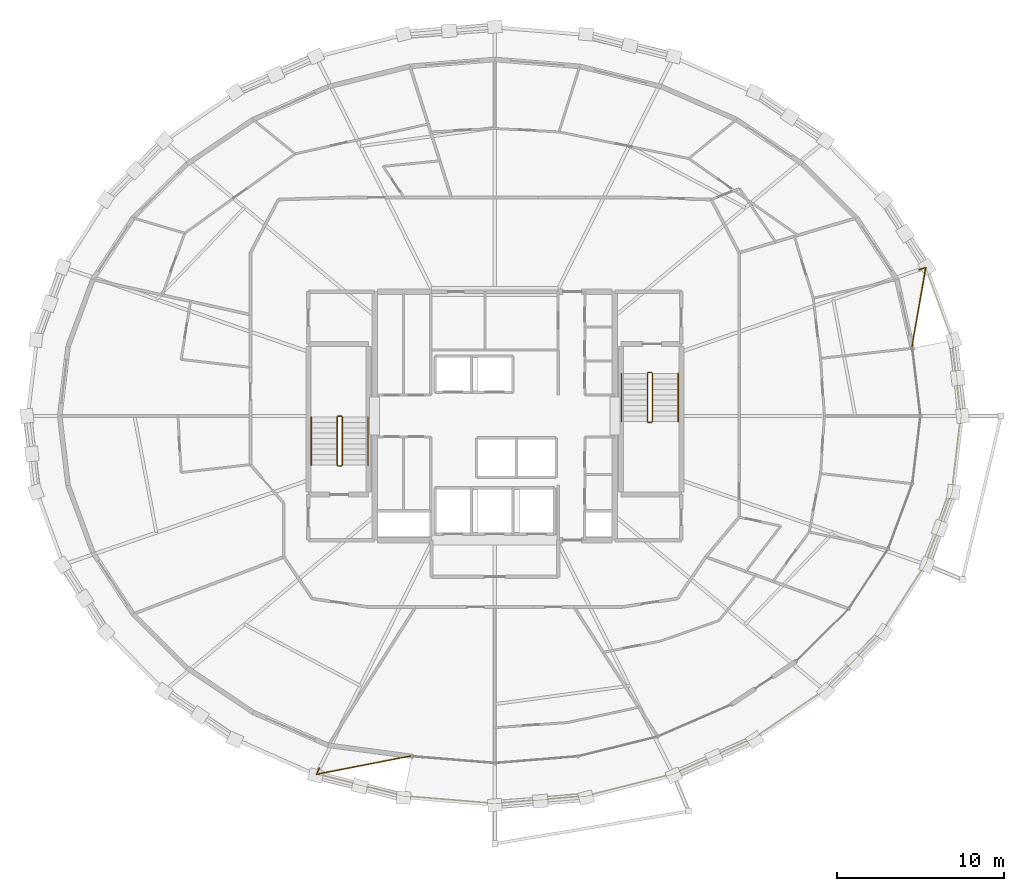
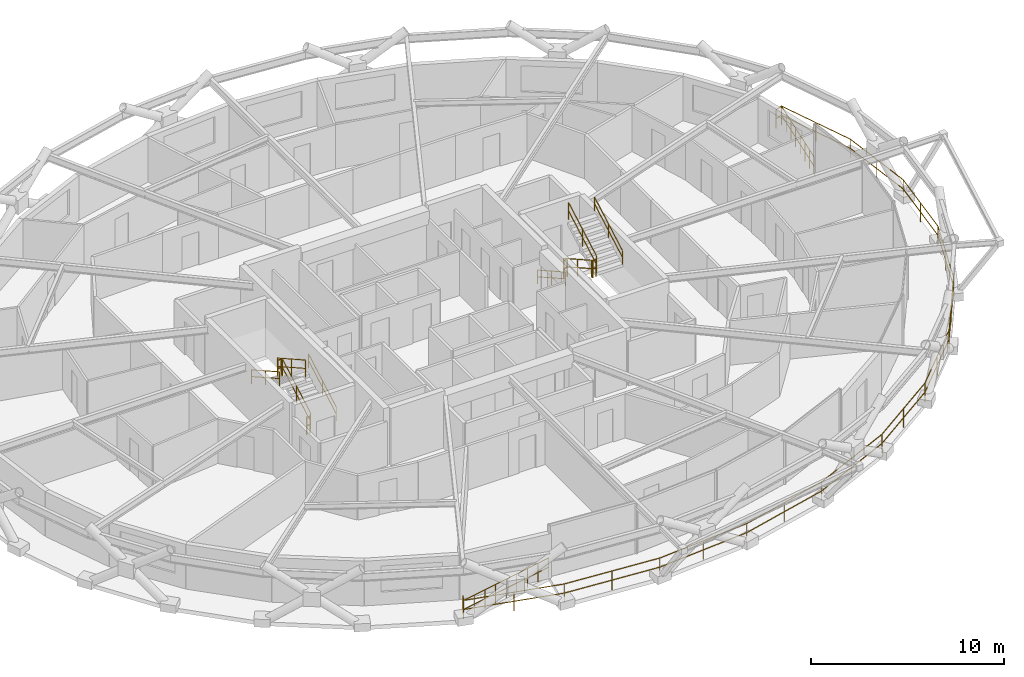
# One storey, part 20 of 20: 15 railings.
"""IFC4 building model written with IfcOpenShell, lengths in metres."""

from ifc_helpers import new_model, si_unit, direction, frame, origin, origin_2d, place, context, subcontext, project, spatial, circle, extrude, material, type_object, element, save


model = new_model("IFC4")

# Units and contexts
model_context = context("Model", 3, precision=1e-05, world=origin(), true_north=direction((0.0, 1.0)))
body_context = subcontext(model_context, "Body", "Model", "MODEL_VIEW")
ifc_project = project(units=[si_unit("LENGTHUNIT", "METRE"), si_unit("AREAUNIT", "SQUARE_METRE"), si_unit("VOLUMEUNIT", "CUBIC_METRE"), si_unit("PLANEANGLEUNIT", "RADIAN"), si_unit("MASSUNIT", "GRAM", prefix="KILO")], contexts=[model_context])

# Site, building, storey
site_placement = place(None, origin())
site = spatial("IfcSite", under=ifc_project, at=site_placement, CompositionType="ELEMENT")
building_placement = place(site_placement, origin())
building = spatial("IfcBuilding", under=site, at=building_placement, Name="Veldorina Hangang Commons", CompositionType="ELEMENT")
storey_placement = place(building_placement, frame((0.0, 0.0, 171.199951171875)))
storey = spatial("IfcBuildingStorey", under=building, at=storey_placement, Name="L44", CompositionType="ELEMENT", Elevation=171.199951171875)

# Railings
ifc_material_1 = material(Name="Glass Laminated Safety Balustrade", Category="glass")
railing_type_1 = type_object("IfcRailingType", Name="RL-BAL-LOGGIA", PredefinedType="BALUSTRADE", material=ifc_material_1)
railing_1_placement = place(storey_placement, frame((21.489501953125, 2.890380859375, 0.0)))
element("IfcRailing", 1, at=railing_1_placement, inside=storey, type_object=railing_type_1, Name="L44 sky-garden loggia end balustrade A", PredefinedType="BALUSTRADE", context=body_context, shape_type="SweptSolid", body=[
    extrude(circle(Radius=0.02392578125, at=origin_2d()), frame((0.0, 0.0, 1.17578125), z_axis=(-0.445818053749, -0.895123602052, 0.0), x_axis=(0.895123602052, -0.445818053749, 0.0)), (0.0, 0.0, 1.0), 0.419921875),
    extrude(circle(Radius=0.02392578125, at=origin_2d()), frame((0.0, 0.0, 0.60009765625), z_axis=(-0.445818053749, -0.895123602052, 0.0), x_axis=(0.895123602052, -0.445818053749, 0.0)), (0.0, 0.0, 1.0), 0.419921875),
    extrude(circle(Radius=0.02392578125, at=origin_2d()), frame((-0.187255859375, -0.3759765625, 1.17578125), z_axis=(0.981703712615, 0.190414864541, 0.0), x_axis=(-0.190414864541, 0.981703712615, 0.0)), (0.0, 0.0, 1.0), 5.833740234375),
    extrude(circle(Radius=0.02392578125, at=origin_2d()), frame((-0.187255859375, -0.3759765625, 0.60009765625), z_axis=(0.981703712615, 0.190414864541, 0.0), x_axis=(-0.190414864541, 0.981703712615, 0.0)), (0.0, 0.0, 1.0), 5.833740234375),
    extrude(circle(Radius=0.02099609375, at=origin_2d()), origin(), (0.0, 0.0, 1.0), 1.15185546875),
    extrude(circle(Radius=0.02099609375, at=origin_2d()), frame((-0.187255859375, -0.3759765625, 0.0)), (0.0, 0.0, 1.0), 1.15185546875),
    extrude(circle(Radius=0.02099609375, at=origin_2d()), frame((0.528564453125, -0.237060546875, 0.0)), (0.0, 0.0, 1.0), 1.15185546875),
    extrude(circle(Radius=0.02099609375, at=origin_2d()), frame((1.24462890625, -0.09814453125, 0.0)), (0.0, 0.0, 1.0), 1.15185546875),
    extrude(circle(Radius=0.02099609375, at=origin_2d()), frame((1.96044921875, 0.04052734375, 0.0)), (0.0, 0.0, 1.0), 1.15185546875),
    extrude(circle(Radius=0.02099609375, at=origin_2d()), frame((2.67626953125, 0.179443359375, 0.0)), (0.0, 0.0, 1.0), 1.15185546875),
    extrude(circle(Radius=0.02099609375, at=origin_2d()), frame((3.39208984375, 0.318359375, 0.0)), (0.0, 0.0, 1.0), 1.15185546875),
    extrude(circle(Radius=0.02099609375, at=origin_2d()), frame((4.10791015625, 0.45703125, 0.0)), (0.0, 0.0, 1.0), 1.15185546875),
    extrude(circle(Radius=0.02099609375, at=origin_2d()), frame((4.823974609375, 0.595947265625, 0.0)), (0.0, 0.0, 1.0), 1.15185546875),
    extrude(circle(Radius=0.02099609375, at=origin_2d()), frame((5.539794921875, 0.73486328125, 0.0)), (0.0, 0.0, 1.0), 1.15185546875),
])
railing_2_placement = place(storey_placement, frame((57.440185546875, 32.766357421875, 0.0)))
element("IfcRailing", 2, at=railing_2_placement, inside=storey, type_object=railing_type_1, Name="L44 sky-garden loggia end balustrade B", PredefinedType="BALUSTRADE", context=body_context, shape_type="SweptSolid", body=[
    extrude(circle(Radius=0.02392578125, at=origin_2d()), frame((0.0, 0.0, 1.17578125), z_axis=(0.945317363369, 0.326151931642, 0.0), x_axis=(-0.326151931642, 0.945317363369, 0.0)), (0.0, 0.0, 1.0), 0.419921875),
    extrude(circle(Radius=0.02392578125, at=origin_2d()), frame((0.0, 0.0, 0.60009765625), z_axis=(0.945317363369, 0.326151931642, 0.0), x_axis=(-0.326151931642, 0.945317363369, 0.0)), (0.0, 0.0, 1.0), 0.419921875),
    extrude(circle(Radius=0.02392578125, at=origin_2d()), frame((0.39697265625, 0.136962890625, 1.17578125), z_axis=(-0.170558106812, -0.98534761998, 0.0), x_axis=(0.98534761998, -0.170558106812, 0.0)), (0.0, 0.0, 1.0), 4.921142578125),
    extrude(circle(Radius=0.02392578125, at=origin_2d()), frame((0.39697265625, 0.136962890625, 0.60009765625), z_axis=(-0.170558106812, -0.98534761998, 0.0), x_axis=(0.98534761998, -0.170558106812, 0.0)), (0.0, 0.0, 1.0), 4.921142578125),
    extrude(circle(Radius=0.02099609375, at=origin_2d()), origin(), (0.0, 0.0, 1.0), 1.15185546875),
    extrude(circle(Radius=0.02099609375, at=origin_2d()), frame((0.39697265625, 0.136962890625, 0.0)), (0.0, 0.0, 1.0), 1.15185546875),
    extrude(circle(Radius=0.02099609375, at=origin_2d()), frame((0.277099609375, -0.5556640625, 0.0)), (0.0, 0.0, 1.0), 1.15185546875),
    extrude(circle(Radius=0.02099609375, at=origin_2d()), frame((0.1572265625, -1.24853515625, 0.0)), (0.0, 0.0, 1.0), 1.15185546875),
    extrude(circle(Radius=0.02099609375, at=origin_2d()), frame((0.037353515625, -1.941162109375, 0.0)), (0.0, 0.0, 1.0), 1.15185546875),
    extrude(circle(Radius=0.02099609375, at=origin_2d()), frame((-0.082763671875, -2.634033203125, 0.0)), (0.0, 0.0, 1.0), 1.15185546875),
    extrude(circle(Radius=0.02099609375, at=origin_2d()), frame((-0.20263671875, -3.32666015625, 0.0)), (0.0, 0.0, 1.0), 1.15185546875),
    extrude(circle(Radius=0.02099609375, at=origin_2d()), frame((-0.322509765625, -4.01953125, 0.0)), (0.0, 0.0, 1.0), 1.15185546875),
    extrude(circle(Radius=0.02099609375, at=origin_2d()), frame((-0.4423828125, -4.712158203125, 0.0)), (0.0, 0.0, 1.0), 1.15185546875),
])
railing_3_placement = place(storey_placement, frame((21.30224609375, 2.514404296875, 0.0)))
element("IfcRailing", 3, at=railing_3_placement, inside=storey, type_object=railing_type_1, Name="L44 sky-garden loggia outer balustrade", PredefinedType="BALUSTRADE", context=body_context, shape_type="SweptSolid", body=[
    extrude(circle(Radius=0.02392578125, at=origin_2d()), frame((0.0, 0.0, 1.17578125), z_axis=(0.969676031676, -0.244393931171, 0.0), x_axis=(0.244393931171, 0.969676031676, 0.0)), (0.0, 0.0, 1.0), 5.408447265625),
    extrude(circle(Radius=0.02392578125, at=origin_2d()), frame((0.0, 0.0, 0.60009765625), z_axis=(0.969676031676, -0.244393931171, 0.0), x_axis=(0.244393931171, 0.969676031676, 0.0)), (0.0, 0.0, 1.0), 5.408447265625),
    extrude(circle(Radius=0.02392578125, at=origin_2d()), frame((5.244384765625, -1.32177734375, 1.17578125), z_axis=(0.996671680688, -0.081520309828, 0.0), x_axis=(0.081520309828, 0.996671680688, 0.0)), (0.0, 0.0, 1.0), 5.4716796875),
    extrude(circle(Radius=0.02392578125, at=origin_2d()), frame((5.244384765625, -1.32177734375, 0.60009765625), z_axis=(0.996671680688, -0.081520309828, 0.0), x_axis=(0.081520309828, 0.996671680688, 0.0)), (0.0, 0.0, 1.0), 5.4716796875),
    extrude(circle(Radius=0.02392578125, at=origin_2d()), frame((10.69775390625, -1.767822265625, 1.17578125), z_axis=(0.996671680688, 0.081520309828, 0.0), x_axis=(-0.081520309828, 0.996671680688, 0.0)), (0.0, 0.0, 1.0), 5.4716796875),
    extrude(circle(Radius=0.02392578125, at=origin_2d()), frame((10.69775390625, -1.767822265625, 0.60009765625), z_axis=(0.996671680688, 0.081520309828, 0.0), x_axis=(-0.081520309828, 0.996671680688, 0.0)), (0.0, 0.0, 1.0), 5.4716796875),
    extrude(circle(Radius=0.02392578125, at=origin_2d()), frame((16.151123046875, -1.32177734375, 1.17578125), z_axis=(0.969676031676, 0.244393931171, 0.0), x_axis=(-0.244393931171, 0.969676031676, 0.0)), (0.0, 0.0, 1.0), 5.408447265625),
    extrude(circle(Radius=0.02392578125, at=origin_2d()), frame((16.151123046875, -1.32177734375, 0.60009765625), z_axis=(0.969676031676, 0.244393931171, 0.0), x_axis=(-0.244393931171, 0.969676031676, 0.0)), (0.0, 0.0, 1.0), 5.408447265625),
    extrude(circle(Radius=0.02392578125, at=origin_2d()), frame((21.3955078125, 0.0, 1.17578125), z_axis=(0.91393711298, 0.405855828488, 0.0), x_axis=(-0.405855828488, 0.91393711298, 0.0)), (0.0, 0.0, 1.0), 5.2900390625),
    extrude(circle(Radius=0.02392578125, at=origin_2d()), frame((21.3955078125, 0.0, 0.60009765625), z_axis=(0.91393711298, 0.405855828488, 0.0), x_axis=(-0.405855828488, 0.91393711298, 0.0)), (0.0, 0.0, 1.0), 5.2900390625),
    extrude(circle(Radius=0.02392578125, at=origin_2d()), frame((26.230224609375, 2.14697265625, 1.17578125), z_axis=(0.826177002387, 0.563410650171, 0.0), x_axis=(-0.563410650171, 0.826177002387, 0.0)), (0.0, 0.0, 1.0), 5.130615234375),
    extrude(circle(Radius=0.02392578125, at=origin_2d()), frame((26.230224609375, 2.14697265625, 0.60009765625), z_axis=(0.826177002387, 0.563410650171, 0.0), x_axis=(-0.563410650171, 0.826177002387, 0.0)), (0.0, 0.0, 1.0), 5.130615234375),
    extrude(circle(Radius=0.02392578125, at=origin_2d()), frame((30.468994140625, 5.03759765625, 1.17578125), z_axis=(0.702680615757, 0.711505412657, 0.0), x_axis=(-0.711505412657, 0.702680615757, 0.0)), (0.0, 0.0, 1.0), 4.9521484375),
    extrude(circle(Radius=0.02392578125, at=origin_2d()), frame((30.468994140625, 5.03759765625, 0.60009765625), z_axis=(0.702680615757, 0.711505412657, 0.0), x_axis=(-0.711505412657, 0.702680615757, 0.0)), (0.0, 0.0, 1.0), 4.9521484375),
    extrude(circle(Radius=0.02392578125, at=origin_2d()), frame((33.94873046875, 8.56103515625, 1.17578125), z_axis=(0.540920174653, 0.841073935307, 0.0), x_axis=(-0.841073935307, 0.540920174653, 0.0)), (0.0, 0.0, 1.0), 4.781005859375),
    extrude(circle(Radius=0.02392578125, at=origin_2d()), frame((33.94873046875, 8.56103515625, 0.60009765625), z_axis=(0.540920174653, 0.841073935307, 0.0), x_axis=(-0.841073935307, 0.540920174653, 0.0)), (0.0, 0.0, 1.0), 4.781005859375),
    extrude(circle(Radius=0.02392578125, at=origin_2d()), frame((36.534912109375, 12.582275390625, 1.17578125), z_axis=(0.342839871195, 0.939393859209, 0.0), x_axis=(-0.939393859209, 0.342839871195, 0.0)), (0.0, 0.0, 1.0), 4.645751953125),
    extrude(circle(Radius=0.02392578125, at=origin_2d()), frame((36.534912109375, 12.582275390625, 0.60009765625), z_axis=(0.342839871195, 0.939393859209, 0.0), x_axis=(-0.939393859209, 0.342839871195, 0.0)), (0.0, 0.0, 1.0), 4.645751953125),
    extrude(circle(Radius=0.02392578125, at=origin_2d()), frame((38.127685546875, 16.946533203125, 1.17578125), z_axis=(0.117668651454, 0.993052913225, 0.0), x_axis=(-0.993052913225, 0.117668651454, 0.0)), (0.0, 0.0, 1.0), 4.57080078125),
    extrude(circle(Radius=0.02392578125, at=origin_2d()), frame((38.127685546875, 16.946533203125, 0.60009765625), z_axis=(0.117668651454, 0.993052913225, 0.0), x_axis=(-0.993052913225, 0.117668651454, 0.0)), (0.0, 0.0, 1.0), 4.57080078125),
    extrude(circle(Radius=0.02392578125, at=origin_2d()), frame((38.66552734375, 21.485595703125, 1.17578125), z_axis=(-0.117668651454, 0.993052913225, 0.0), x_axis=(-0.993052913225, -0.117668651454, 0.0)), (0.0, 0.0, 1.0), 4.57080078125),
    extrude(circle(Radius=0.02392578125, at=origin_2d()), frame((38.66552734375, 21.485595703125, 0.60009765625), z_axis=(-0.117668651454, 0.993052913225, 0.0), x_axis=(-0.993052913225, -0.117668651454, 0.0)), (0.0, 0.0, 1.0), 4.57080078125),
    extrude(circle(Radius=0.02392578125, at=origin_2d()), frame((38.127685546875, 26.024658203125, 1.17578125), z_axis=(-0.342839871195, 0.939393859209, 0.0), x_axis=(-0.939393859209, -0.342839871195, 0.0)), (0.0, 0.0, 1.0), 4.645751953125),
    extrude(circle(Radius=0.02392578125, at=origin_2d()), frame((38.127685546875, 26.024658203125, 0.60009765625), z_axis=(-0.342839871195, 0.939393859209, 0.0), x_axis=(-0.939393859209, -0.342839871195, 0.0)), (0.0, 0.0, 1.0), 4.645751953125),
    extrude(circle(Radius=0.02099609375, at=origin_2d()), origin(), (0.0, 0.0, 1.0), 1.15185546875),
    extrude(circle(Radius=0.02099609375, at=origin_2d()), frame((2.6220703125, -0.660888671875, 0.0)), (0.0, 0.0, 1.0), 1.15185546875),
    extrude(circle(Radius=0.02099609375, at=origin_2d()), frame((5.244384765625, -1.32177734375, 0.0)), (0.0, 0.0, 1.0), 1.15185546875),
    extrude(circle(Radius=0.02099609375, at=origin_2d()), frame((7.97119140625, -1.544921875, 0.0)), (0.0, 0.0, 1.0), 1.15185546875),
    extrude(circle(Radius=0.02099609375, at=origin_2d()), frame((10.69775390625, -1.767822265625, 0.0)), (0.0, 0.0, 1.0), 1.15185546875),
    extrude(circle(Radius=0.02099609375, at=origin_2d()), frame((13.42431640625, -1.544921875, 0.0)), (0.0, 0.0, 1.0), 1.15185546875),
    extrude(circle(Radius=0.02099609375, at=origin_2d()), frame((16.151123046875, -1.32177734375, 0.0)), (0.0, 0.0, 1.0), 1.15185546875),
    extrude(circle(Radius=0.02099609375, at=origin_2d()), frame((18.7734375, -0.660888671875, 0.0)), (0.0, 0.0, 1.0), 1.15185546875),
    extrude(circle(Radius=0.02099609375, at=origin_2d()), frame((21.3955078125, 0.0, 0.0)), (0.0, 0.0, 1.0), 1.15185546875),
    extrude(circle(Radius=0.02099609375, at=origin_2d()), frame((23.81298828125, 1.073486328125, 0.0)), (0.0, 0.0, 1.0), 1.15185546875),
    extrude(circle(Radius=0.02099609375, at=origin_2d()), frame((26.230224609375, 2.14697265625, 0.0)), (0.0, 0.0, 1.0), 1.15185546875),
    extrude(circle(Radius=0.02099609375, at=origin_2d()), frame((28.349609375, 3.59228515625, 0.0)), (0.0, 0.0, 1.0), 1.15185546875),
    extrude(circle(Radius=0.02099609375, at=origin_2d()), frame((30.468994140625, 5.03759765625, 0.0)), (0.0, 0.0, 1.0), 1.15185546875),
    extrude(circle(Radius=0.02099609375, at=origin_2d()), frame((32.208984375, 6.79931640625, 0.0)), (0.0, 0.0, 1.0), 1.15185546875),
    extrude(circle(Radius=0.02099609375, at=origin_2d()), frame((33.94873046875, 8.56103515625, 0.0)), (0.0, 0.0, 1.0), 1.15185546875),
    extrude(circle(Radius=0.02099609375, at=origin_2d()), frame((35.24169921875, 10.57177734375, 0.0)), (0.0, 0.0, 1.0), 1.15185546875),
    extrude(circle(Radius=0.02099609375, at=origin_2d()), frame((36.534912109375, 12.582275390625, 0.0)), (0.0, 0.0, 1.0), 1.15185546875),
    extrude(circle(Radius=0.02099609375, at=origin_2d()), frame((37.331298828125, 14.764404296875, 0.0)), (0.0, 0.0, 1.0), 1.15185546875),
    extrude(circle(Radius=0.02099609375, at=origin_2d()), frame((38.127685546875, 16.946533203125, 0.0)), (0.0, 0.0, 1.0), 1.15185546875),
    extrude(circle(Radius=0.02099609375, at=origin_2d()), frame((38.396484375, 19.216064453125, 0.0)), (0.0, 0.0, 1.0), 1.15185546875),
    extrude(circle(Radius=0.02099609375, at=origin_2d()), frame((38.66552734375, 21.485595703125, 0.0)), (0.0, 0.0, 1.0), 1.15185546875),
    extrude(circle(Radius=0.02099609375, at=origin_2d()), frame((38.396484375, 23.755126953125, 0.0)), (0.0, 0.0, 1.0), 1.15185546875),
    extrude(circle(Radius=0.02099609375, at=origin_2d()), frame((38.127685546875, 26.024658203125, 0.0)), (0.0, 0.0, 1.0), 1.15185546875),
    extrude(circle(Radius=0.02099609375, at=origin_2d()), frame((37.331298828125, 28.206787109375, 0.0)), (0.0, 0.0, 1.0), 1.15185546875),
    extrude(circle(Radius=0.02099609375, at=origin_2d()), frame((36.534912109375, 30.388916015625, 0.0)), (0.0, 0.0, 1.0), 1.15185546875),
])
ifc_material_2 = material(Name="Steel Painted Balustrade", Category="steel")
railing_type_2 = type_object("IfcRailingType", Name="RL-GRD-STAIR", PredefinedType="GUARDRAIL", material=ifc_material_2)
railing_4_placement = place(storey_placement, frame((22.85009765625, 21.050048828125, 0.179931640625)))
element("IfcRailing", 4, at=railing_4_placement, inside=storey, type_object=railing_type_2, Name="L44 ST-1 stair guard 1", PredefinedType="GUARDRAIL", context=body_context, shape_type="SweptSolid", body=[
    extrude(circle(Radius=0.02392578125, at=origin_2d()), frame((0.0, 0.0, 1.076171875), z_axis=(0.0, 0.87155185771, 0.490303333991), x_axis=(-1.0, 0.0, 0.0)), (0.0, 0.0, 1.0), 3.30419921875),
    extrude(circle(Radius=0.02392578125, at=origin_2d()), frame((0.0, 0.0, 0.550048828125), z_axis=(0.0, 0.87155185771, 0.490303333991), x_axis=(-1.0, 0.0, 0.0)), (0.0, 0.0, 1.0), 3.30419921875),
    extrude(circle(Radius=0.02099609375, at=origin_2d()), origin(), (0.0, 0.0, 1.0), 1.052001953125),
    extrude(circle(Radius=0.02099609375, at=origin_2d()), frame((0.0, 1.43994140625, 0.81005859375)), (0.0, 0.0, 1.0), 1.052001953125),
    extrude(circle(Radius=0.02099609375, at=origin_2d()), frame((0.0, 2.8798828125, 1.6201171875)), (0.0, 0.0, 1.0), 1.052001953125),
])
railing_5_placement = place(storey_placement, frame((22.800048828125, 23.97998046875, 1.800048828125)))
element("IfcRailing", 5, at=railing_5_placement, inside=storey, type_object=railing_type_2, Name="L44 ST-1 stair guard 2", PredefinedType="GUARDRAIL", context=body_context, shape_type="SweptSolid", body=[
    extrude(circle(Radius=0.02392578125, at=origin_2d()), frame((0.0, 0.0, 1.076171875), z_axis=(-1.0, 0.0, 0.0), x_axis=(0.0, -1.0, 0.0)), (0.0, 0.0, 1.0), 0.199951171875),
    extrude(circle(Radius=0.02392578125, at=origin_2d()), frame((0.0, 0.0, 0.550048828125), z_axis=(-1.0, 0.0, 0.0), x_axis=(0.0, -1.0, 0.0)), (0.0, 0.0, 1.0), 0.199951171875),
    extrude(circle(Radius=0.02099609375, at=origin_2d()), origin(), (0.0, 0.0, 1.0), 1.052001953125),
    extrude(circle(Radius=0.02099609375, at=origin_2d()), frame((-0.199951171875, 0.0, 0.0)), (0.0, 0.0, 1.0), 1.052001953125),
])
railing_6_placement = place(storey_placement, frame((22.550048828125, 23.929931640625, 1.97998046875)))
element("IfcRailing", 6, at=railing_6_placement, inside=storey, type_object=railing_type_2, Name="L44 ST-1 stair guard 3", PredefinedType="GUARDRAIL", context=body_context, shape_type="SweptSolid", body=[
    extrude(circle(Radius=0.02392578125, at=origin_2d()), frame((0.0, 0.0, 1.076171875), z_axis=(0.0, -0.87155185771, 0.490303333991), x_axis=(1.0, 0.0, 0.0)), (0.0, 0.0, 1.0), 3.30419921875),
    extrude(circle(Radius=0.02392578125, at=origin_2d()), frame((0.0, 0.0, 0.550048828125), z_axis=(0.0, -0.87155185771, 0.490303333991), x_axis=(1.0, 0.0, 0.0)), (0.0, 0.0, 1.0), 3.30419921875),
    extrude(circle(Radius=0.02099609375, at=origin_2d()), origin(), (0.0, 0.0, 1.0), 1.052001953125),
    extrude(circle(Radius=0.02099609375, at=origin_2d()), frame((0.0, -1.43994140625, 0.81005859375)), (0.0, 0.0, 1.0), 1.052001953125),
    extrude(circle(Radius=0.02099609375, at=origin_2d()), frame((0.0, -2.8798828125, 1.6201171875)), (0.0, 0.0, 1.0), 1.052001953125),
])
railing_7_placement = place(storey_placement, frame((22.800048828125, 21.0, 0.0)))
element("IfcRailing", 7, at=railing_7_placement, inside=storey, type_object=railing_type_2, Name="L44 ST-1 stair guard 4", PredefinedType="GUARDRAIL", context=body_context, shape_type="SweptSolid", body=[
    extrude(circle(Radius=0.02392578125, at=origin_2d()), frame((0.0, 0.0, 1.076171875), z_axis=(-1.0, 0.0, 0.0), x_axis=(0.0, -1.0, 0.0)), (0.0, 0.0, 1.0), 0.199951171875),
    extrude(circle(Radius=0.02392578125, at=origin_2d()), frame((0.0, 0.0, 0.550048828125), z_axis=(-1.0, 0.0, 0.0), x_axis=(0.0, -1.0, 0.0)), (0.0, 0.0, 1.0), 0.199951171875),
    extrude(circle(Radius=0.02099609375, at=origin_2d()), origin(), (0.0, 0.0, 1.0), 1.052001953125),
    extrude(circle(Radius=0.02099609375, at=origin_2d()), frame((-0.199951171875, 0.0, 0.0)), (0.0, 0.0, 1.0), 1.052001953125),
])
railing_8_placement = place(storey_placement, frame((41.14990234375, 26.550048828125, 0.179931640625)))
element("IfcRailing", 8, at=railing_8_placement, inside=storey, type_object=railing_type_2, Name="L44 ST-2 stair guard 1", PredefinedType="GUARDRAIL", context=body_context, shape_type="SweptSolid", body=[
    extrude(circle(Radius=0.02392578125, at=origin_2d()), frame((0.0, 0.0, 1.076171875), z_axis=(0.0, -0.871569617843, 0.490271762652), x_axis=(1.0, 0.0, 0.0)), (0.0, 0.0, 1.0), 3.304443359375),
    extrude(circle(Radius=0.02392578125, at=origin_2d()), frame((0.0, 0.0, 0.550048828125), z_axis=(0.0, -0.871569617843, 0.490271762652), x_axis=(1.0, 0.0, 0.0)), (0.0, 0.0, 1.0), 3.304443359375),
    extrude(circle(Radius=0.02099609375, at=origin_2d()), origin(), (0.0, 0.0, 1.0), 1.052001953125),
    extrude(circle(Radius=0.02099609375, at=origin_2d()), frame((0.0, -1.43994140625, 0.81005859375)), (0.0, 0.0, 1.0), 1.052001953125),
    extrude(circle(Radius=0.02099609375, at=origin_2d()), frame((0.0, -2.880126953125, 1.6201171875)), (0.0, 0.0, 1.0), 1.052001953125),
])
railing_9_placement = place(storey_placement, frame((41.199951171875, 23.6201171875, 1.800048828125)))
element("IfcRailing", 9, at=railing_9_placement, inside=storey, type_object=railing_type_2, Name="L44 ST-2 stair guard 2", PredefinedType="GUARDRAIL", context=body_context, shape_type="SweptSolid", body=[
    extrude(circle(Radius=0.02392578125, at=origin_2d()), frame((0.0, 0.0, 1.076171875), z_axis=(1.0, 0.0, 0.0), x_axis=(0.0, 1.0, 0.0)), (0.0, 0.0, 1.0), 0.199951171875),
    extrude(circle(Radius=0.02392578125, at=origin_2d()), frame((0.0, 0.0, 0.550048828125), z_axis=(1.0, 0.0, 0.0), x_axis=(0.0, 1.0, 0.0)), (0.0, 0.0, 1.0), 0.199951171875),
    extrude(circle(Radius=0.02099609375, at=origin_2d()), origin(), (0.0, 0.0, 1.0), 1.052001953125),
    extrude(circle(Radius=0.02099609375, at=origin_2d()), frame((0.199951171875, 0.0, 0.0)), (0.0, 0.0, 1.0), 1.052001953125),
])
railing_10_placement = place(storey_placement, frame((41.449951171875, 23.669921875, 1.97998046875)))
element("IfcRailing", 10, at=railing_10_placement, inside=storey, type_object=railing_type_2, Name="L44 ST-2 stair guard 3", PredefinedType="GUARDRAIL", context=body_context, shape_type="SweptSolid", body=[
    extrude(circle(Radius=0.02392578125, at=origin_2d()), frame((0.0, 0.0, 1.076171875), z_axis=(0.0, 0.871569617843, 0.490271762652), x_axis=(-1.0, 0.0, 0.0)), (0.0, 0.0, 1.0), 3.304443359375),
    extrude(circle(Radius=0.02392578125, at=origin_2d()), frame((0.0, 0.0, 0.550048828125), z_axis=(0.0, 0.871569617843, 0.490271762652), x_axis=(-1.0, 0.0, 0.0)), (0.0, 0.0, 1.0), 3.304443359375),
    extrude(circle(Radius=0.02099609375, at=origin_2d()), origin(), (0.0, 0.0, 1.0), 1.052001953125),
    extrude(circle(Radius=0.02099609375, at=origin_2d()), frame((0.0, 1.43994140625, 0.81005859375)), (0.0, 0.0, 1.0), 1.052001953125),
    extrude(circle(Radius=0.02099609375, at=origin_2d()), frame((0.0, 2.880126953125, 1.6201171875)), (0.0, 0.0, 1.0), 1.052001953125),
])
railing_11_placement = place(storey_placement, frame((41.199951171875, 26.60009765625, 0.0)))
element("IfcRailing", 11, at=railing_11_placement, inside=storey, type_object=railing_type_2, Name="L44 ST-2 stair guard 4", PredefinedType="GUARDRAIL", context=body_context, shape_type="SweptSolid", body=[
    extrude(circle(Radius=0.02392578125, at=origin_2d()), frame((0.0, 0.0, 1.076171875), z_axis=(1.0, 0.0, 0.0), x_axis=(0.0, 1.0, 0.0)), (0.0, 0.0, 1.0), 0.199951171875),
    extrude(circle(Radius=0.02392578125, at=origin_2d()), frame((0.0, 0.0, 0.550048828125), z_axis=(1.0, 0.0, 0.0), x_axis=(0.0, 1.0, 0.0)), (0.0, 0.0, 1.0), 0.199951171875),
    extrude(circle(Radius=0.02099609375, at=origin_2d()), origin(), (0.0, 0.0, 1.0), 1.052001953125),
    extrude(circle(Radius=0.02099609375, at=origin_2d()), frame((0.199951171875, 0.0, 0.0)), (0.0, 0.0, 1.0), 1.052001953125),
])
ifc_material_3 = material(Name="Stainless Steel Brushed 316", Category="steel")
railing_type_3 = type_object("IfcRailingType", Name="RL-HND-STAIR", PredefinedType="HANDRAIL", material=ifc_material_3)
railing_12_placement = place(storey_placement, frame((24.39990234375, 21.050048828125, 0.179931640625)))
element("IfcRailing", 12, at=railing_12_placement, inside=storey, type_object=railing_type_3, Name="L44 ST-1 stair handrail 1", PredefinedType="HANDRAIL", context=body_context, shape_type="SweptSolid", body=[
    extrude(circle(Radius=0.02392578125, at=origin_2d()), frame((0.0, 0.0, 0.8759765625), z_axis=(0.0, 0.87155185771, 0.490303333991), x_axis=(-1.0, 0.0, 0.0)), (0.0, 0.0, 1.0), 3.30419921875),
    extrude(circle(Radius=0.02392578125, at=origin_2d()), frame((0.0, 0.0, 0.449951171875), z_axis=(0.0, 0.87155185771, 0.490303333991), x_axis=(-1.0, 0.0, 0.0)), (0.0, 0.0, 1.0), 3.30419921875),
    extrude(circle(Radius=0.02099609375, at=origin_2d()), origin(), (0.0, 0.0, 1.0), 0.851806640625),
    extrude(circle(Radius=0.02099609375, at=origin_2d()), frame((0.0, 1.43994140625, 0.81005859375)), (0.0, 0.0, 1.0), 0.851806640625),
    extrude(circle(Radius=0.02099609375, at=origin_2d()), frame((0.0, 2.8798828125, 1.6201171875)), (0.0, 0.0, 1.0), 0.851806640625),
])
railing_13_placement = place(storey_placement, frame((21.0, 23.929931640625, 1.97998046875)))
element("IfcRailing", 13, at=railing_13_placement, inside=storey, type_object=railing_type_3, Name="L44 ST-1 stair handrail 2", PredefinedType="HANDRAIL", context=body_context, shape_type="SweptSolid", body=[
    extrude(circle(Radius=0.02392578125, at=origin_2d()), frame((0.0, 0.0, 0.8759765625), z_axis=(0.0, -0.87155185771, 0.490303333991), x_axis=(1.0, 0.0, 0.0)), (0.0, 0.0, 1.0), 3.30419921875),
    extrude(circle(Radius=0.02392578125, at=origin_2d()), frame((0.0, 0.0, 0.449951171875), z_axis=(0.0, -0.87155185771, 0.490303333991), x_axis=(1.0, 0.0, 0.0)), (0.0, 0.0, 1.0), 3.30419921875),
    extrude(circle(Radius=0.02099609375, at=origin_2d()), origin(), (0.0, 0.0, 1.0), 0.851806640625),
    extrude(circle(Radius=0.02099609375, at=origin_2d()), frame((0.0, -1.43994140625, 0.81005859375)), (0.0, 0.0, 1.0), 0.851806640625),
    extrude(circle(Radius=0.02099609375, at=origin_2d()), frame((0.0, -2.8798828125, 1.6201171875)), (0.0, 0.0, 1.0), 0.851806640625),
])
railing_14_placement = place(storey_placement, frame((39.60009765625, 26.550048828125, 0.179931640625)))
element("IfcRailing", 14, at=railing_14_placement, inside=storey, type_object=railing_type_3, Name="L44 ST-2 stair handrail 1", PredefinedType="HANDRAIL", context=body_context, shape_type="SweptSolid", body=[
    extrude(circle(Radius=0.02392578125, at=origin_2d()), frame((0.0, 0.0, 0.8759765625), z_axis=(0.0, -0.871569617843, 0.490271762652), x_axis=(1.0, 0.0, 0.0)), (0.0, 0.0, 1.0), 3.304443359375),
    extrude(circle(Radius=0.02392578125, at=origin_2d()), frame((0.0, 0.0, 0.449951171875), z_axis=(0.0, -0.871569617843, 0.490271762652), x_axis=(1.0, 0.0, 0.0)), (0.0, 0.0, 1.0), 3.304443359375),
    extrude(circle(Radius=0.02099609375, at=origin_2d()), origin(), (0.0, 0.0, 1.0), 0.851806640625),
    extrude(circle(Radius=0.02099609375, at=origin_2d()), frame((0.0, -1.43994140625, 0.81005859375)), (0.0, 0.0, 1.0), 0.851806640625),
    extrude(circle(Radius=0.02099609375, at=origin_2d()), frame((0.0, -2.880126953125, 1.6201171875)), (0.0, 0.0, 1.0), 0.851806640625),
])
railing_15_placement = place(storey_placement, frame((43.0, 23.669921875, 1.97998046875)))
element("IfcRailing", 15, at=railing_15_placement, inside=storey, type_object=railing_type_3, Name="L44 ST-2 stair handrail 2", PredefinedType="HANDRAIL", context=body_context, shape_type="SweptSolid", body=[
    extrude(circle(Radius=0.02392578125, at=origin_2d()), frame((0.0, 0.0, 0.8759765625), z_axis=(0.0, 0.871569617843, 0.490271762652), x_axis=(-1.0, 0.0, 0.0)), (0.0, 0.0, 1.0), 3.304443359375),
    extrude(circle(Radius=0.02392578125, at=origin_2d()), frame((0.0, 0.0, 0.449951171875), z_axis=(0.0, 0.871569617843, 0.490271762652), x_axis=(-1.0, 0.0, 0.0)), (0.0, 0.0, 1.0), 3.304443359375),
    extrude(circle(Radius=0.02099609375, at=origin_2d()), origin(), (0.0, 0.0, 1.0), 0.851806640625),
    extrude(circle(Radius=0.02099609375, at=origin_2d()), frame((0.0, 1.43994140625, 0.81005859375)), (0.0, 0.0, 1.0), 0.851806640625),
    extrude(circle(Radius=0.02099609375, at=origin_2d()), frame((0.0, 2.880126953125, 1.6201171875)), (0.0, 0.0, 1.0), 0.851806640625),
])

save(model, "model.ifc")
